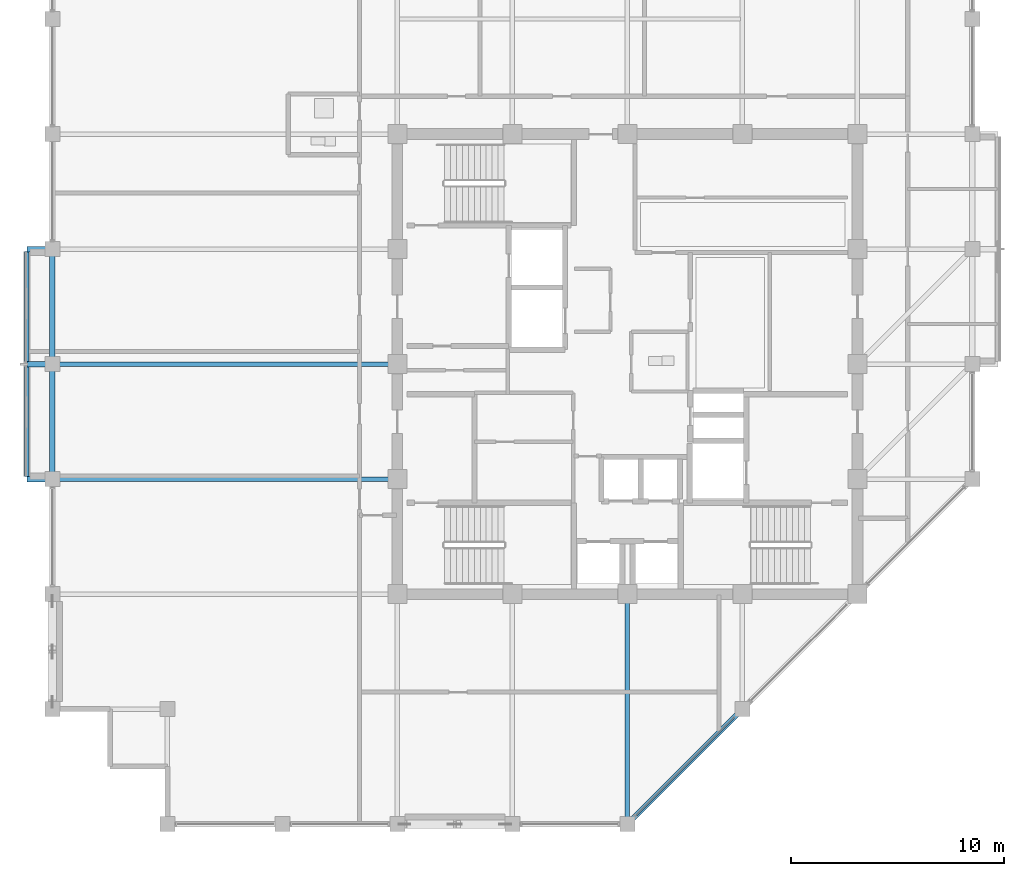
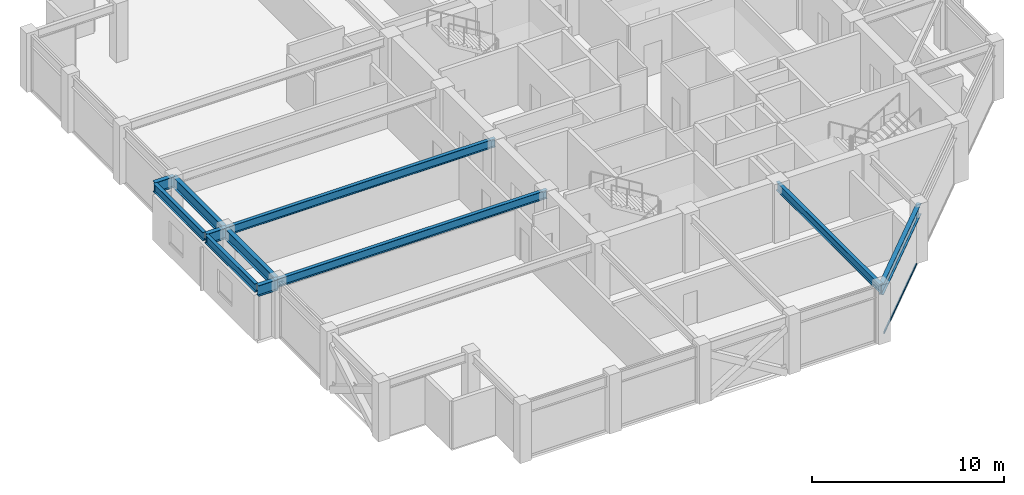
# One storey, part 7 of 29: 11 beams, 1 member, 1 element without a shape of its own.
"""IFC4 building model written with IfcOpenShell, lengths in metres."""

from ifc_helpers import new_model, si_unit, direction, frame, origin, origin_2d, place, context, subcontext, project, spatial, hollow_rectangle, i_section, extrude, material, layer, layer_set, material_profile, profile_set, type_object, element, aggregate, save


model = new_model("IFC4")

# Units and contexts
model_context = context("Model", 3, precision=1e-05, world=origin(), true_north=direction((0.0, 1.0)))
body_context = subcontext(model_context, "Body", "Model", "MODEL_VIEW")
ifc_project = project(units=[si_unit("LENGTHUNIT", "METRE"), si_unit("AREAUNIT", "SQUARE_METRE"), si_unit("VOLUMEUNIT", "CUBIC_METRE"), si_unit("PLANEANGLEUNIT", "RADIAN"), si_unit("MASSUNIT", "GRAM", prefix="KILO")], contexts=[model_context])

# Site, building, storey
site_placement = place(None, origin())
site = spatial("IfcSite", under=ifc_project, at=site_placement, CompositionType="ELEMENT")
building_placement = place(site_placement, origin())
building = spatial("IfcBuilding", under=site, at=building_placement, Name="Surkhivell Harbour Commons", CompositionType="ELEMENT")
storey_placement = place(building_placement, frame((0.0, 0.0, 277.5)))
storey = spatial("IfcBuildingStorey", under=building, at=storey_placement, Name="L72", CompositionType="ELEMENT", Elevation=277.5)

# Beams
ifc_material_1 = material(Name="Steel S460", Category="steel")
ifc_material_profile_1 = material_profile(ifc_material_1, i_section(OverallWidth=0.256103515625, OverallDepth=0.693115234375, WebThickness=0.014404296875, FlangeThickness=0.023681640625, at=origin_2d()), Name="UB686x254x170")
ifc_profile_set_1 = profile_set([ifc_material_profile_1], Name="Steel S460")
beam_type_1 = type_object("IfcBeamType", Name="BM-CNT-686", PredefinedType="BEAM", material=ifc_profile_set_1)
for number, where, z_axis, x_axis, name in (
    (1, (-27.0, -5.39990234375, 3.223388671875), (-1.0, 0.0, 0.0), (0.0, -1.0, 0.0), "L72 Box Cantilever Outrigger (-27.0,-5.4)"),
    (2, (-27.0, 0.0, 3.223388671875), (-1.0, 0.0, 0.0), (0.0, -1.0, 0.0), "L72 Box Cantilever Outrigger (-27.0,0.0)"),
    (3, (-27.0, 5.39990234375, 3.223388671875), (-1.0, 0.0, 0.0), (0.0, -1.0, 0.0), "L72 Box Cantilever Outrigger (-27.0,5.4)"),
):
    element("IfcBeam", number, at=place(storey_placement, frame(where, z_axis=z_axis, x_axis=x_axis)), inside=storey, type_object=beam_type_1, Name=name, PredefinedType="BEAM", context=body_context, shape_type="SweptSolid", body=[
        extrude(i_section(OverallWidth=0.256103515625, OverallDepth=0.693115234375, WebThickness=0.014404296875, FlangeThickness=0.023681640625, at=origin_2d()), origin(), (0.0, 0.0, 1.0), 1.199951171875),
    ])
ifc_material_2 = material(Name="Steel S355", Category="steel")
ifc_material_profile_2 = material_profile(ifc_material_2, i_section(OverallWidth=0.2099609375, OverallDepth=0.537109375, WebThickness=0.0107421875, FlangeThickness=0.017333984375, at=origin_2d()), Name="UB533x210x101")
ifc_profile_set_2 = profile_set([ifc_material_profile_2], Name="Steel S355")
beam_type_2 = type_object("IfcBeamType", Name="BM-GRD-533B", PredefinedType="BEAM", material=ifc_profile_set_2)
for number, where, z_axis, x_axis, name in (
    (4, (-27.0, -5.39990234375, 3.301513671875), (1.0, 0.0, 0.0), (0.0, 1.0, 0.0), "L72 Floor Girder (-27.0,-5.4)"),
    (5, (-27.0, 0.0, 3.301513671875), (1.0, 0.0, 0.0), (0.0, 1.0, 0.0), "L72 Floor Girder (-27.0,0.0)"),
):
    element("IfcBeam", number, at=place(storey_placement, frame(where, z_axis=z_axis, x_axis=x_axis)), inside=storey, type_object=beam_type_2, Name=name, PredefinedType="BEAM", context=body_context, shape_type="SweptSolid", body=[
        extrude(i_section(OverallWidth=0.2099609375, OverallDepth=0.537109375, WebThickness=0.0107421875, FlangeThickness=0.017333984375, at=origin_2d()), origin(), (0.0, 0.0, 1.0), 16.199951171875),
    ])
beam_1_placement = place(storey_placement, frame((0.0, -21.60009765625, 3.301513671875), z_axis=(0.0, 1.0, 0.0), x_axis=(-1.0, 0.0, 0.0)))
element("IfcBeam", 6, at=beam_1_placement, inside=storey, type_object=beam_type_2, Name="L72 Floor Girder (0.0,-21.6)", PredefinedType="BEAM", context=body_context, shape_type="SweptSolid", body=[
    extrude(i_section(OverallWidth=0.2099609375, OverallDepth=0.537109375, WebThickness=0.0107421875, FlangeThickness=0.017333984375, at=origin_2d()), origin(), (0.0, 0.0, 1.0), 10.800048828125),
])
for number, where, z_axis, x_axis, name in (
    (7, (-28.199951171875, -5.278076171875, 3.301513671875), (0.0, 1.0, 0.0), (-1.0, 0.0, 0.0), "L72 Box Rim Spandrel (-28.2,-5.4)"),
    (8, (-28.199951171875, 0.1220703125, 3.301513671875), (0.0, 1.0, 0.0), (-1.0, 0.0, 0.0), "L72 Box Rim Spandrel (-28.2,0.0)"),
):
    element("IfcBeam", number, at=place(storey_placement, frame(where, z_axis=z_axis, x_axis=x_axis)), inside=storey, type_object=beam_type_2, Name=name, PredefinedType="BEAM", context=body_context, shape_type="SweptSolid", body=[
        extrude(i_section(OverallWidth=0.2099609375, OverallDepth=0.537109375, WebThickness=0.0107421875, FlangeThickness=0.017333984375, at=origin_2d()), origin(), (0.0, 0.0, 1.0), 5.156005859375),
    ])
ifc_material_profile_3 = material_profile(ifc_material_2, i_section(OverallWidth=0.256103515625, OverallDepth=0.693115234375, WebThickness=0.014404296875, FlangeThickness=0.023681640625, at=origin_2d()), Name="UB686x254x170")
ifc_profile_set_3 = profile_set([ifc_material_profile_3], Name="Steel S355")
beam_type_3 = type_object("IfcBeamType", Name="BM-SPN-686", PredefinedType="SPANDREL", material=ifc_profile_set_3)
for number, where, z_axis, x_axis, name in (
    (9, (-27.0, -5.39990234375, 3.223388671875), (0.0, 1.0, 0.0), (-1.0, 0.0, 0.0), "L72 Tube Spandrel (-27.0,-5.4)"),
    (10, (-27.0, 0.0, 3.223388671875), (0.0, 1.0, 0.0), (-1.0, 0.0, 0.0), "L72 Tube Spandrel (-27.0,0.0)"),
):
    element("IfcBeam", number, at=place(storey_placement, frame(where, z_axis=z_axis, x_axis=x_axis)), inside=storey, type_object=beam_type_3, Name=name, PredefinedType="SPANDREL", context=body_context, shape_type="SweptSolid", body=[
        extrude(i_section(OverallWidth=0.256103515625, OverallDepth=0.693115234375, WebThickness=0.014404296875, FlangeThickness=0.023681640625, at=origin_2d()), origin(), (0.0, 0.0, 1.0), 5.39990234375),
    ])
beam_2_placement = place(storey_placement, frame((0.0, -21.60009765625, 3.223388671875), z_axis=(0.707090796496, 0.707122765516, 0.0), x_axis=(-0.707122765516, 0.707090796496, 0.0)))
element("IfcBeam", 11, at=beam_2_placement, inside=storey, type_object=beam_type_3, Name="L72 Tube Spandrel (-0.0,-21.6)", PredefinedType="SPANDREL", context=body_context, shape_type="SweptSolid", body=[
    extrude(i_section(OverallWidth=0.256103515625, OverallDepth=0.693115234375, WebThickness=0.014404296875, FlangeThickness=0.023681640625, at=origin_2d()), origin(), (0.0, 0.0, 1.0), 7.63671875),
])

# Curtain wall, member
ifc_material_3 = material(Name="Anodised pale-metal aluminium and insulated glazing", Category="aluminium")
ifc_layer = layer(ifc_material_3, 0.175048828125)
ifc_layer_set = layer_set([ifc_layer], Name="Anodised pale-metal aluminium and insulated glazing")
curtain_wall_type = type_object("IfcCurtainWallType", Name="CW-SYS-Z4", PredefinedType="NOTDEFINED", material=ifc_layer_set)
curtain_wall_placement = place(storey_placement, origin())
curtain_wall = element("IfcCurtainWall", 12, at=curtain_wall_placement, inside=storey, type_object=curtain_wall_type, Name="L72 Curtain Wall CW-L72-E01", PredefinedType="NOTDEFINED")
ifc_material_4 = material(Name="Champagne anodised aluminium alloy 6063-T6", Category="aluminium")
ifc_material_profile_4 = material_profile(ifc_material_4, hollow_rectangle(XDim=0.070068359375, YDim=0.1298828125, WallThickness=0.00341796875, at=origin_2d()), Name="ALU-TRAN-70x130")
ifc_profile_set_4 = profile_set([ifc_material_profile_4], Name="Champagne anodised aluminium alloy 6063-T6")
member_type = type_object("IfcMemberType", Name="CWT-130", PredefinedType="USERDEFINED", material=ifc_profile_set_4)
member_placement = place(storey_placement, frame((0.404541015625, -21.1953125, 0.06494140625), z_axis=(0.707125583467, 0.707087978406, 0.0), x_axis=(-0.707087978406, 0.707125583467, 0.0)))
member = element("IfcMember", 13, at=member_placement, type_object=member_type, Name="CW-Z4 transom 1.1", ObjectType="TRANSOM", PredefinedType="USERDEFINED", context=body_context, shape_type="SweptSolid", body=[
    extrude(hollow_rectangle(XDim=0.070068359375, YDim=0.1298828125, WallThickness=0.00341796875, at=origin_2d()), origin(), (0.0, 0.0, 1.0), 6.4921875),
])
aggregate(curtain_wall, [member])

save(model, "model.ifc")
